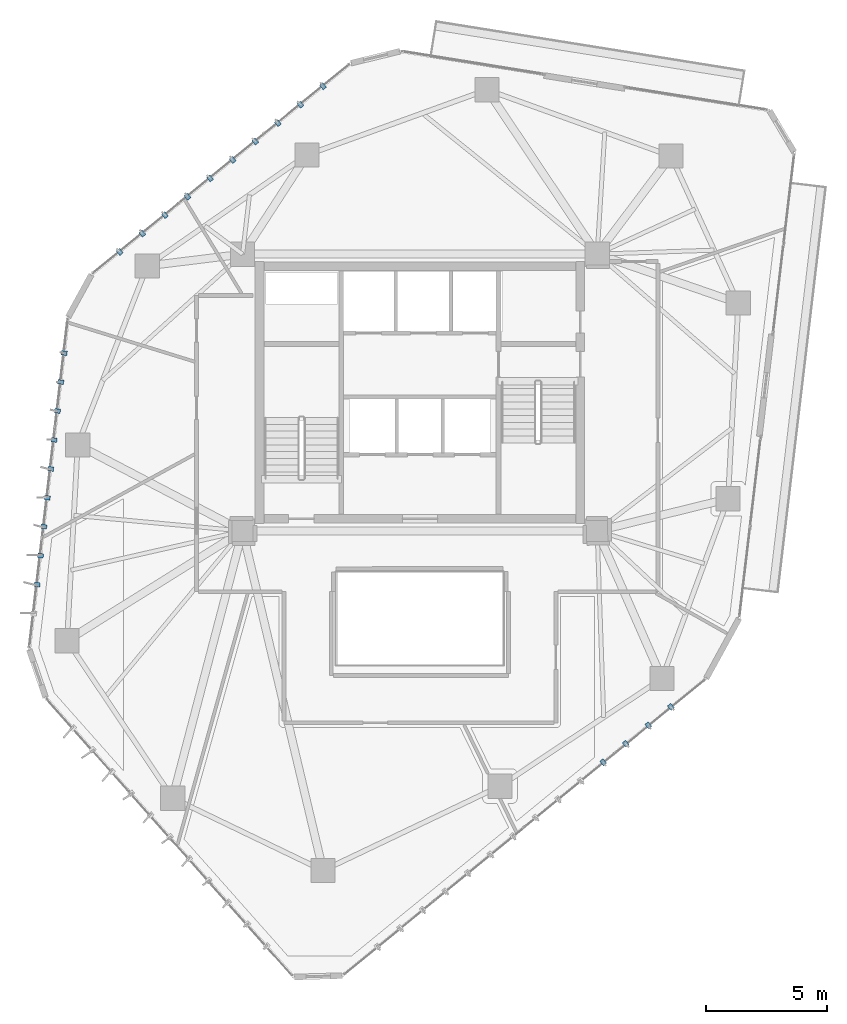
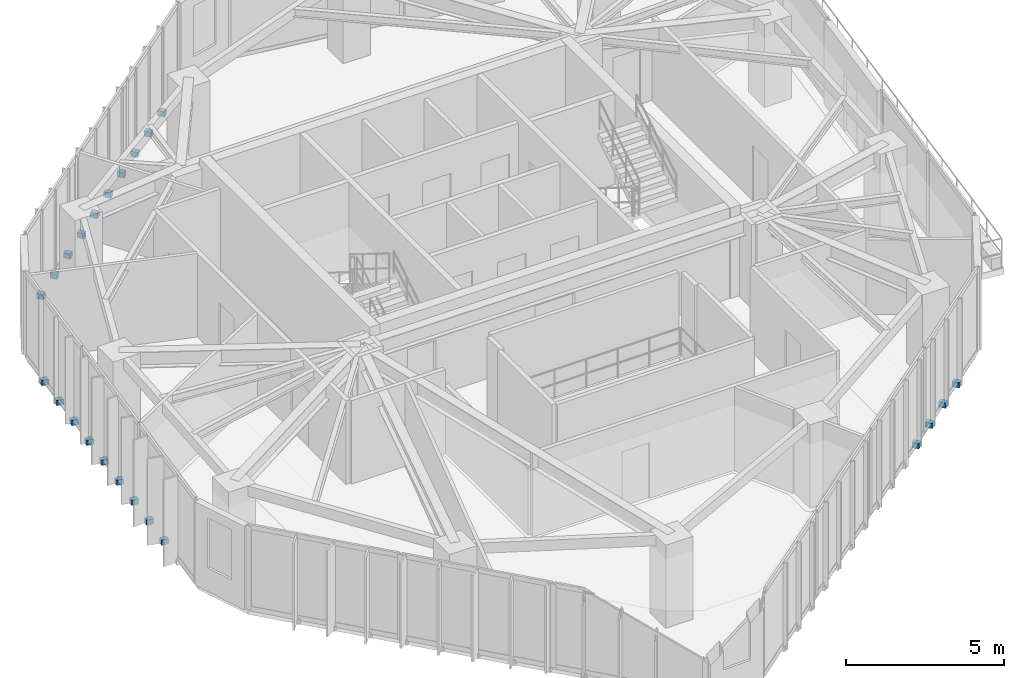
# One storey, part 20 of 22: 23 discrete accessories.
"""IFC4 building model written with IfcOpenShell, lengths in metres."""

from ifc_helpers import new_model, si_unit, direction, frame, origin, origin_2d, place, context, subcontext, project, spatial, rectangle, extrude, source, transform, mapped, material, type_object, type_shapes, element, save


model = new_model("IFC4")

# Units and contexts
model_context = context("Model", 3, precision=1e-05, world=origin(), true_north=direction((0.0, 1.0)))
body_context = subcontext(model_context, "Body", "Model", "MODEL_VIEW")
ifc_project = project(units=[si_unit("LENGTHUNIT", "METRE"), si_unit("AREAUNIT", "SQUARE_METRE"), si_unit("VOLUMEUNIT", "CUBIC_METRE"), si_unit("PLANEANGLEUNIT", "RADIAN"), si_unit("MASSUNIT", "GRAM", prefix="KILO")], contexts=[model_context])

# Site, building, storey
site_placement = place(None, origin())
site = spatial("IfcSite", under=ifc_project, at=site_placement, CompositionType="ELEMENT")
building_placement = place(site_placement, origin())
building = spatial("IfcBuilding", under=site, at=building_placement, Name="Talar Marvaseh", CompositionType="ELEMENT")
storey_placement = place(building_placement, frame((0.0, 0.0, 229.199951171875)))
storey = spatial("IfcBuildingStorey", under=building, at=storey_placement, Name="L60", CompositionType="ELEMENT", Elevation=229.199951171875)

# Discrete accessories
ifc_material = material(Name="Stainless Steel Grade 316", Category="steel")
discrete_accessory_type = type_object("IfcDiscreteAccessoryType", Name="Stainless Slab-Edge Fin Mounting Bracket", PredefinedType="BRACKET", material=ifc_material)
shared_shape = source(origin(), body_context, "Body", "SweptSolid", [
    extrude(rectangle(XDim=0.239990234375, YDim=0.179931640625, at=origin_2d()), origin(), (0.0, 0.0, 1.0), 0.199951171875),
])
type_shapes(discrete_accessory_type, [shared_shape])
for number, where, z_axis, x_axis, name in (
    (1, (10.23779296875, 23.291015625, -0.1796875), (0.0, 0.0, 1.0), (-0.9932113148, 0.116324048041, 0.0), "L60 Vertical Fin Slab-Edge Bracket"),
    (2, (10.377197265625, 24.482666015625, -0.1796875), (0.0, 0.0, 1.0), (-0.9932113148, 0.116324048041, 0.0), "L60 Vertical Fin Slab-Edge Bracket"),
    (3, (10.51708984375, 25.674560546875, -0.1796875), (0.0, 0.0, 1.0), (-0.9932113148, 0.116324048041, 0.0), "L60 Vertical Fin Slab-Edge Bracket"),
    (4, (10.656494140625, 26.866455078125, -0.1796875), (0.0, 0.0, 1.0), (-0.9932113148, 0.116324048041, 0.0), "L60 Vertical Fin Slab-Edge Bracket"),
    (5, (10.796142578125, 28.058349609375, -0.1796875), (0.0, 0.0, 1.0), (-0.9932113148, 0.116324048041, 0.0), "L60 Vertical Fin Slab-Edge Bracket"),
    (6, (10.935791015625, 29.25, -0.1796875), (0.0, 0.0, 1.0), (-0.9932113148, 0.116324048041, 0.0), "L60 Vertical Fin Slab-Edge Bracket"),
    (7, (11.075439453125, 30.44189453125, -0.1796875), (0.0, 0.0, 1.0), (-0.9932113148, 0.116324048041, 0.0), "L60 Vertical Fin Slab-Edge Bracket"),
    (8, (11.215087890625, 31.6337890625, -0.1796875), (0.0, 0.0, 1.0), (-0.9932113148, 0.116324048041, 0.0), "L60 Vertical Fin Slab-Edge Bracket"),
    (9, (11.354736328125, 32.82568359375, -0.1796875), (0.0, 0.0, 1.0), (-0.9932113148, 0.116324048041, 0.0), "L60 Vertical Fin Slab-Edge Bracket"),
    (10, (13.639404296875, 36.990234375, -0.1796875), (0.0, 0.0, 1.0), (-0.631758757508, 0.775165061333, 0.0), "L60 Vertical Fin Slab-Edge Bracket"),
    (11, (14.569580078125, 37.748291015625, -0.1796875), (0.0, 0.0, 1.0), (-0.631758757508, 0.775165061333, 0.0), "L60 Vertical Fin Slab-Edge Bracket"),
    (12, (15.499755859375, 38.506591796875, -0.1796875), (0.0, 0.0, 1.0), (-0.631758757508, 0.775165061333, 0.0), "L60 Vertical Fin Slab-Edge Bracket"),
    (13, (16.429931640625, 39.2646484375, -0.1796875), (0.0, 0.0, 1.0), (-0.631758757508, 0.775165061333, 0.0), "L60 Vertical Fin Slab-Edge Bracket"),
    (14, (17.360107421875, 40.022705078125, -0.1796875), (0.0, 0.0, 1.0), (-0.631758757508, 0.775165061333, 0.0), "L60 Vertical Fin Slab-Edge Bracket"),
    (15, (18.290283203125, 40.781005859375, -0.1796875), (0.0, 0.0, 1.0), (-0.631758757508, 0.775165061333, 0.0), "L60 Vertical Fin Slab-Edge Bracket"),
    (16, (19.220458984375, 41.5390625, -0.1796875), (0.0, 0.0, 1.0), (-0.631758757508, 0.775165061333, 0.0), "L60 Vertical Fin Slab-Edge Bracket"),
    (17, (20.150634765625, 42.297119140625, -0.1796875), (0.0, 0.0, 1.0), (-0.631758757508, 0.775165061333, 0.0), "L60 Vertical Fin Slab-Edge Bracket"),
    (18, (21.080810546875, 43.055419921875, -0.1796875), (0.0, 0.0, 1.0), (-0.631758757508, 0.775165061333, 0.0), "L60 Vertical Fin Slab-Edge Bracket"),
    (19, (22.010986328125, 43.8134765625, -0.1796875), (0.0, 0.0, 1.0), (-0.631758757508, 0.775165061333, 0.0), "L60 Vertical Fin Slab-Edge Bracket"),
    (20, (36.335205078125, 18.2568359375, -0.1796875), (0.0, 0.0, 1.0), (0.632840475939, -0.774282204376, 0.0), "L60 Vertical Fin Slab-Edge Bracket"),
    (21, (35.406005859375, 17.49755859375, -0.1796875), (0.0, 0.0, 1.0), (0.632840475939, -0.774282204376, 0.0), "L60 Vertical Fin Slab-Edge Bracket"),
    (22, (34.476806640625, 16.73828125, -0.1796875), (0.0, 0.0, 1.0), (0.632840475939, -0.774282204376, 0.0), "L60 Vertical Fin Slab-Edge Bracket"),
    (23, (33.5478515625, 15.978759765625, -0.1796875), (0.0, 0.0, 1.0), (0.632840475939, -0.774282204376, 0.0), "L60 Vertical Fin Slab-Edge Bracket"),
):
    element("IfcDiscreteAccessory", number, at=place(storey_placement, frame(where, z_axis=z_axis, x_axis=x_axis)), inside=storey, type_object=discrete_accessory_type, Name=name, PredefinedType="BRACKET", context=body_context, shape_type="MappedRepresentation", body=[
        mapped(shared_shape, transform((0.0, 0.0, 0.0), x_axis=(1.0, 0.0, 0.0), y_axis=(0.0, 1.0, 0.0), z_axis=(0.0, 0.0, 1.0), scale=1.0)),
    ])

save(model, "model.ifc")
